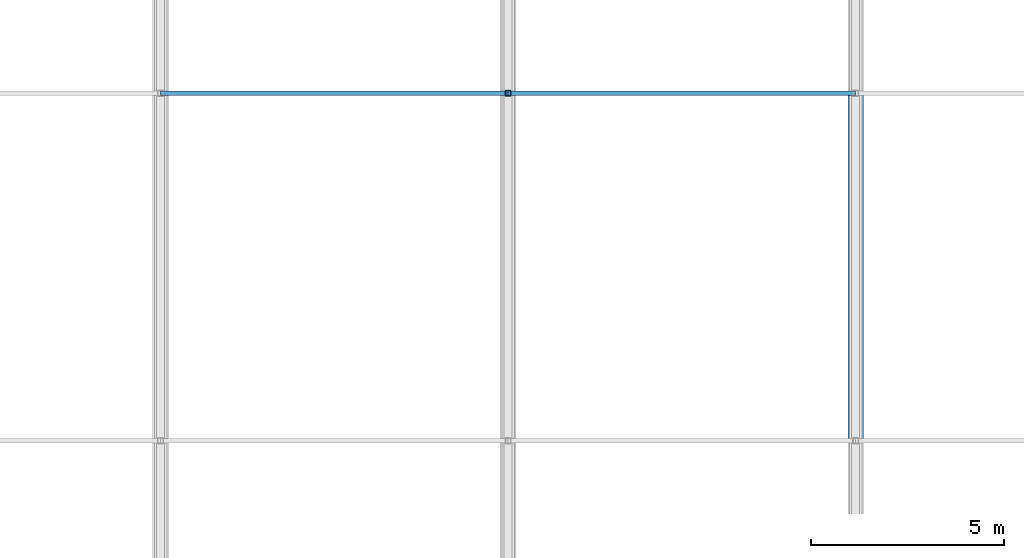
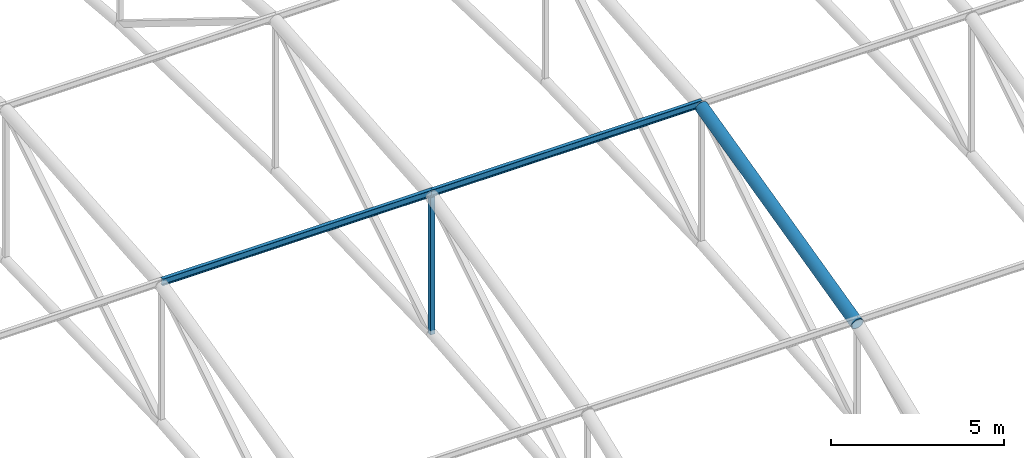
# One storey, part 85 of 223: 4 members.
"""IFC4 building model written with IfcOpenShell, lengths in metres."""

from ifc_helpers import new_model, si_unit, direction, frame, origin, origin_2d, place, context, subcontext, project, spatial, hollow_rectangle, hollow_circle, i_section, extrude, material, material_profile, profile_set, type_object, element, save


model = new_model("IFC4")

# Units and contexts
model_context = context("Model", 3, precision=1e-05, world=origin(), true_north=direction((0.0, 1.0)))
body_context = subcontext(model_context, "Body", "Model", "MODEL_VIEW")
ifc_project = project(units=[si_unit("LENGTHUNIT", "METRE"), si_unit("AREAUNIT", "SQUARE_METRE"), si_unit("VOLUMEUNIT", "CUBIC_METRE"), si_unit("PLANEANGLEUNIT", "RADIAN"), si_unit("MASSUNIT", "GRAM", prefix="KILO")], contexts=[model_context])

# Site, building, storey
site_placement = place(None, origin())
site = spatial("IfcSite", under=ifc_project, at=site_placement, CompositionType="ELEMENT")
building_placement = place(site_placement, origin())
building = spatial("IfcBuilding", under=site, at=building_placement, Name="Dornveld Trade and Exhibition Forum", CompositionType="ELEMENT")
storey_placement = place(building_placement, frame((0.0, 0.0, 6.0)))
storey = spatial("IfcBuildingStorey", under=building, at=storey_placement, Name="L01", CompositionType="ELEMENT", Elevation=6.0)

# Members
ifc_material_1 = material(Name="Steel S355J2", Category="steel")
ifc_material_profile_1 = material_profile(ifc_material_1, hollow_rectangle(XDim=0.14990234375, YDim=0.14990234375, WallThickness=0.008056640625, at=origin_2d()), Name="SHS 150x150x8")
ifc_profile_set_1 = profile_set([ifc_material_profile_1], Name="Steel S355J2")
member_type_1 = type_object("IfcMemberType", Name="MEM-ARCH-STR", PredefinedType="STRUT", material=ifc_profile_set_1)
member_1_placement = place(storey_placement, frame((135.0, 126.0, 8.4833984375), z_axis=(0.0, 0.0, 1.0), x_axis=(1.0, 0.0, 0.0)))
element("IfcMember", 1, at=member_1_placement, inside=storey, type_object=member_type_1, Name="H1 truss 5 strut 3", PredefinedType="STRUT", context=body_context, shape_type="SweptSolid", body=[
    extrude(hollow_rectangle(XDim=0.14990234375, YDim=0.14990234375, WallThickness=0.008056640625, at=origin_2d()), origin(), (0.0, 0.0, 1.0), 4.833251953125),
])
ifc_material_2 = material(Name="Steel S355J2", Category="steel")
ifc_material_profile_2 = material_profile(ifc_material_2, hollow_circle(Radius=0.203125, WallThickness=0.02001953125, at=origin_2d()), Name="CHS 406.4x20")
ifc_profile_set_2 = profile_set([ifc_material_profile_2], Name="Steel S355J2")
member_type_2 = type_object("IfcMemberType", Name="MEM-ARCH-TC", PredefinedType="CHORD", material=ifc_profile_set_2)
member_2_placement = place(storey_placement, frame((144.0, 117.0, 11.11669921875), z_axis=(0.0, 0.971400222114, 0.237448117444), x_axis=(-1.0, 0.0, 0.0)))
element("IfcMember", 2, at=member_2_placement, inside=storey, type_object=member_type_2, Name="H1 truss 6 top chord 2", PredefinedType="CHORD", context=body_context, shape_type="SweptSolid", body=[
    extrude(hollow_circle(Radius=0.203125, WallThickness=0.02001953125, at=origin_2d()), origin(), (0.0, 0.0, 1.0), 9.264892578125),
])
ifc_material_3 = material(Name="Steel S355J2", Category="steel")
ifc_material_profile_3 = material_profile(ifc_material_3, i_section(OverallWidth=0.1201171875, OverallDepth=0.239990234375, WebThickness=0.006103515625, FlangeThickness=0.009765625, FilletRadius=0.014892578125, at=origin_2d()), Name="IPE 240")
ifc_profile_set_3 = profile_set([ifc_material_profile_3], Name="Steel S355J2")
member_type_3 = type_object("IfcMemberType", Name="MEM-PURLIN-240", PredefinedType="PURLIN", material=ifc_profile_set_3)
for number, where, z_axis, x_axis, name in (
    (3, (126.0, 126.0, 13.44873046875), (1.0, 0.0, 0.0), (0.0, 1.0, 0.0), "H1 bay 4 roof purlin 3"),
    (4, (135.0, 126.0, 13.44873046875), (1.0, 0.0, 0.0), (0.0, 1.0, 0.0), "H1 bay 5 roof purlin 3"),
):
    element("IfcMember", number, at=place(storey_placement, frame(where, z_axis=z_axis, x_axis=x_axis)), inside=storey, type_object=member_type_3, Name=name, PredefinedType="PURLIN", context=body_context, shape_type="SweptSolid", body=[
        extrude(i_section(OverallWidth=0.1201171875, OverallDepth=0.239990234375, WebThickness=0.006103515625, FlangeThickness=0.009765625, FilletRadius=0.014892578125, at=origin_2d()), origin(), (0.0, 0.0, 1.0), 9.0),
    ])

save(model, "model.ifc")
